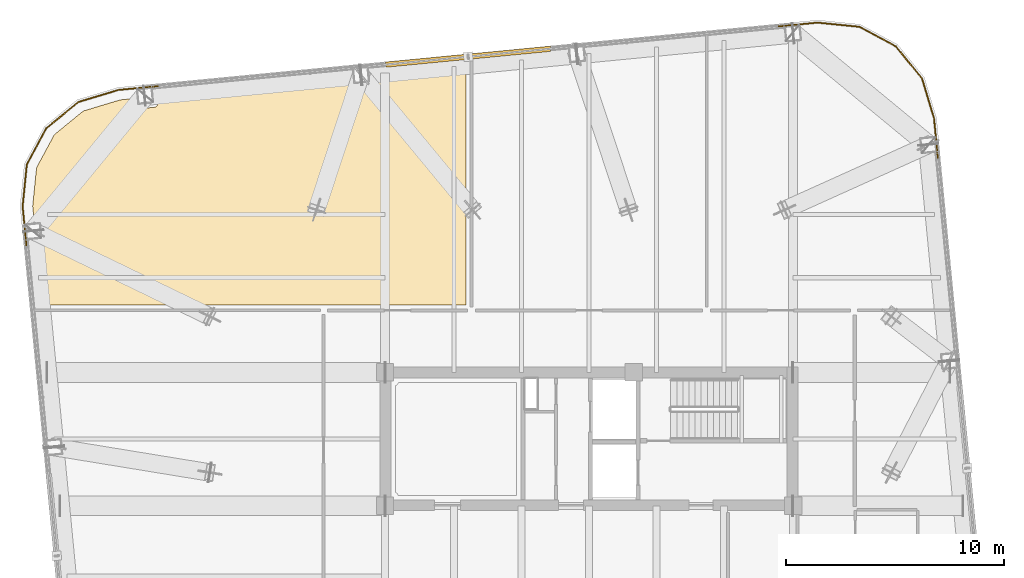
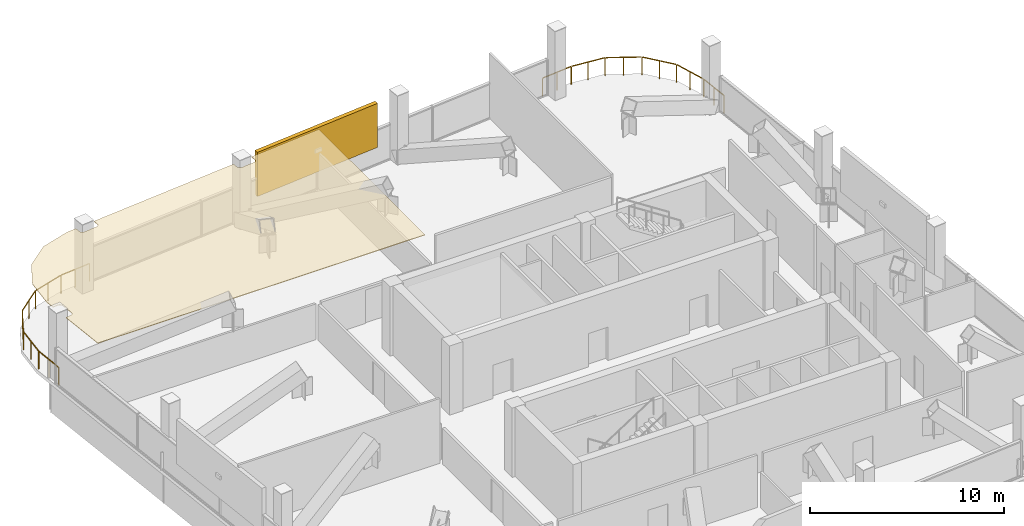
# One storey, part 22 of 22: 2 railings, 1 covering, 1 shading device.
"""IFC4 building model written with IfcOpenShell, lengths in metres."""

from ifc_helpers import new_model, si_unit, direction, frame, origin, origin_2d, place, context, subcontext, project, spatial, polyline, rectangle, outline, extrude, material, layer, layer_set, type_object, element, save


model = new_model("IFC4")

# Units and contexts
model_context = context("Model", 3, precision=1e-05, world=origin(), true_north=direction((0.0, 1.0)))
body_context = subcontext(model_context, "Body", "Model", "MODEL_VIEW")
ifc_project = project(units=[si_unit("LENGTHUNIT", "METRE"), si_unit("AREAUNIT", "SQUARE_METRE"), si_unit("VOLUMEUNIT", "CUBIC_METRE"), si_unit("PLANEANGLEUNIT", "RADIAN"), si_unit("MASSUNIT", "GRAM", prefix="KILO")], contexts=[model_context])

# Site, building, storey
site_placement = place(None, origin())
site = spatial("IfcSite", under=ifc_project, at=site_placement, CompositionType="ELEMENT")
building_placement = place(site_placement, origin())
building = spatial("IfcBuilding", under=site, at=building_placement, Name="Qhalaya Broadcast Tower", CompositionType="ELEMENT")
storey_placement = place(building_placement, frame((0.0, 0.0, 183.60009765625)))
storey = spatial("IfcBuildingStorey", under=building, at=storey_placement, Name="L54", CompositionType="ELEMENT", Elevation=183.60009765625)

# Covering
ifc_material_1 = material(Name="Acoustic Mineral-Fibre Ceiling")
ifc_layer = layer(ifc_material_1, 0.0400390625, Name="Acoustic Mineral-Fibre Ceiling")
ifc_layer_set = layer_set([ifc_layer], Name="Acoustic Mineral-Fibre Ceiling")
covering_type = type_object("IfcCoveringType", Name="Acoustic Mineral-Fibre Suspended Ceiling CLG-01", PredefinedType="CEILING", material=ifc_layer_set)
covering_placement = place(storey_placement, frame((0.0, 0.0, 4.02978515625)))
element("IfcCovering", 1, at=covering_placement, inside=storey, type_object=covering_type, Name="L54 Acoustic Suspended Ceiling 02", PredefinedType="CEILING", context=body_context, shape_type="SweptSolid", body=[
    extrude(outline(polyline([(-25.3935546875, 15.88232421875), (-25.12158203125, 13.06005859375), (-5.659912109375, 13.06005859375), (-5.659912109375, 24.0009765625), (-9.904541015625, 23.59228515625), (-9.876708984375, 23.3037109375), (-9.875732421875, 23.2841796875), (-9.876708984375, 23.264404296875), (-9.879638671875, 23.2451171875), (-9.884521484375, 23.22607421875), (-9.89111328125, 23.20751953125), (-9.899658203125, 23.18994140625), (-9.90966796875, 23.173095703125), (-9.92138671875, 23.1572265625), (-9.934814453125, 23.142822265625), (-9.94921875, 23.129638671875), (-9.965087890625, 23.117919921875), (-9.98193359375, 23.10791015625), (-9.99951171875, 23.099609375), (-10.01806640625, 23.093017578125), (-10.037109375, 23.08837890625), (-10.056640625, 23.08544921875), (-10.793212890625, 23.014404296875), (-10.812744140625, 23.013427734375), (-10.83251953125, 23.014404296875), (-10.851806640625, 23.017333984375), (-10.870849609375, 23.022216796875), (-10.889404296875, 23.02880859375), (-10.906982421875, 23.037353515625), (-10.923828125, 23.04736328125), (-10.939697265625, 23.05908203125), (-10.9541015625, 23.072509765625), (-10.96728515625, 23.0869140625), (-10.97900390625, 23.102783203125), (-10.989013671875, 23.11962890625), (-10.997314453125, 23.137451171875), (-11.00390625, 23.15576171875), (-11.008544921875, 23.1748046875), (-11.011474609375, 23.1943359375), (-11.039306640625, 23.483154296875), (-19.8251953125, 22.636962890625), (-19.797607421875, 22.348388671875), (-19.796630859375, 22.328857421875), (-19.797607421875, 22.30908203125), (-19.800537109375, 22.289794921875), (-19.805419921875, 22.270751953125), (-19.81201171875, 22.252197265625), (-19.8203125, 22.234619140625), (-19.83056640625, 22.2177734375), (-19.84228515625, 22.201904296875), (-19.85546875, 22.1875), (-19.8701171875, 22.17431640625), (-19.8857421875, 22.16259765625), (-19.902587890625, 22.152587890625), (-19.92041015625, 22.144287109375), (-19.93896484375, 22.1376953125), (-19.9580078125, 22.133056640625), (-19.977294921875, 22.130126953125), (-20.714111328125, 22.05908203125), (-20.733642578125, 22.05810546875), (-20.753173828125, 22.05908203125), (-20.772705078125, 22.06201171875), (-20.791748046875, 22.06689453125), (-20.81005859375, 22.073486328125), (-20.827880859375, 22.08203125), (-20.8447265625, 22.092041015625), (-20.8603515625, 22.10400390625), (-20.875, 22.1171875), (-20.88818359375, 22.131591796875), (-20.899658203125, 22.1474609375), (-20.909912109375, 22.164306640625), (-20.918212890625, 22.18212890625), (-20.9248046875, 22.200439453125), (-20.929443359375, 22.219482421875), (-20.932373046875, 22.239013671875), (-20.960205078125, 22.527587890625), (-21.5302734375, 22.472900390625), (-23.2333984375, 21.960205078125), (-24.5654296875, 20.8720703125), (-25.379638671875, 19.356689453125), (-25.5576171875, 17.58740234375), (-25.502685546875, 17.01708984375), (-25.214111328125, 17.044921875), (-25.194580078125, 17.0458984375), (-25.175048828125, 17.044921875), (-25.155517578125, 17.0419921875), (-25.136474609375, 17.037109375), (-25.1181640625, 17.030517578125), (-25.100341796875, 17.02197265625), (-25.08349609375, 17.011962890625), (-25.06787109375, 17.0), (-25.05322265625, 16.98681640625), (-25.0400390625, 16.972412109375), (-25.028564453125, 16.95654296875), (-25.018310546875, 16.939697265625), (-25.010009765625, 16.922119140625), (-25.00341796875, 16.903564453125), (-24.998779296875, 16.884521484375), (-24.995849609375, 16.864990234375), (-24.9248046875, 16.12841796875), (-24.924072265625, 16.10888671875), (-24.925048828125, 16.089111328125), (-24.927978515625, 16.06982421875), (-24.9326171875, 16.05078125), (-24.939453125, 16.0322265625), (-24.94775390625, 16.0146484375), (-24.9580078125, 15.997802734375), (-24.9697265625, 15.98193359375), (-24.98291015625, 15.967529296875), (-24.997314453125, 15.954345703125), (-25.01318359375, 15.942626953125), (-25.030029296875, 15.9326171875), (-25.0478515625, 15.92431640625), (-25.06640625, 15.917724609375), (-25.08544921875, 15.9130859375), (-25.104736328125, 15.91015625), (-25.3935546875, 15.88232421875)])), origin(), (0.0, 0.0, 1.0), 0.0400390625),
])

# Railings
ifc_material_2 = material(Name="Powder-Coated Galvanised Steel", Category="steel")
railing_type = type_object("IfcRailingType", Name="Terrace, Sky-Pool & Lookout Glass Balustrade 1150", PredefinedType="BALUSTRADE", material=ifc_material_2)
railing_1_placement = place(storey_placement, frame((-25.8466796875, 15.790283203125, 0.0)))
element("IfcRailing", 2, at=railing_1_placement, inside=storey, type_object=railing_type, Name="L54 Rounded Corner Perimeter Guard 03", PredefinedType="BALUSTRADE", context=body_context, shape_type="SweptSolid", body=[
    extrude(rectangle(XDim=0.048095703125, YDim=0.048095703125, at=origin_2d()), frame((0.0, 0.0, 1.1259765625), z_axis=(-0.095969962472, 0.995384230487, 0.0), x_axis=(-0.995384230487, -0.095969962472, 0.0)), (0.0, 0.0, 1.0), 1.77734375),
    extrude(rectangle(XDim=0.048095703125, YDim=0.048095703125, at=origin_2d()), frame((-0.17041015625, 1.82666015625, 1.1259765625), z_axis=(0.100185175984, 0.994968808814, 0.0), x_axis=(-0.994968808814, 0.100185175984, 0.0)), (0.0, 0.0, 1.0), 1.857666015625),
    extrude(rectangle(XDim=0.048095703125, YDim=0.048095703125, at=origin_2d()), frame((0.0322265625, 3.72900390625, 1.1259765625), z_axis=(0.473342342286, 0.880878554058, 0.0), x_axis=(-0.880878554058, 0.473342342286, 0.0)), (0.0, 0.0, 1.0), 1.845458984375),
    extrude(rectangle(XDim=0.048095703125, YDim=0.048095703125, at=origin_2d()), frame((0.94189453125, 5.3984375, 1.1259765625), z_axis=(0.774368685352, 0.632734651451, 0.0), x_axis=(-0.632734651451, 0.774368685352, 0.0)), (0.0, 0.0, 1.0), 1.84521484375),
    extrude(rectangle(XDim=0.048095703125, YDim=0.048095703125, at=origin_2d()), frame((2.420654296875, 6.592529296875, 1.1259765625), z_axis=(0.957576860039, 0.288177995547, 0.0), x_axis=(-0.288177995547, 0.957576860039, 0.0)), (0.0, 0.0, 1.0), 1.857666015625),
    extrude(rectangle(XDim=0.048095703125, YDim=0.048095703125, at=origin_2d()), frame((4.256103515625, 7.138916015625, 1.1259765625), z_axis=(0.995397133929, 0.095836035844, 0.0), x_axis=(-0.095836035844, 0.995397133929, 0.0)), (0.0, 0.0, 1.0), 1.77734375),
    extrude(rectangle(XDim=0.0419921875, YDim=0.0419921875, at=origin_2d()), origin(), (0.0, 0.0, 1.0), 1.099853515625),
    extrude(rectangle(XDim=0.0419921875, YDim=0.0419921875, at=origin_2d()), frame((-0.086669921875, 0.89892578125, 0.0)), (0.0, 0.0, 1.0), 1.099853515625),
    extrude(rectangle(XDim=0.0419921875, YDim=0.0419921875, at=origin_2d()), frame((-0.17333984375, 1.7978515625, 0.0)), (0.0, 0.0, 1.0), 1.099853515625),
    extrude(rectangle(XDim=0.0419921875, YDim=0.0419921875, at=origin_2d()), frame((-0.077392578125, 2.750732421875, 0.0)), (0.0, 0.0, 1.0), 1.099853515625),
    extrude(rectangle(XDim=0.0419921875, YDim=0.0419921875, at=origin_2d()), frame((0.0185546875, 3.70361328125, 0.0)), (0.0, 0.0, 1.0), 1.099853515625),
    extrude(rectangle(XDim=0.0419921875, YDim=0.0419921875, at=origin_2d()), frame((0.468994140625, 4.5419921875, 0.0)), (0.0, 0.0, 1.0), 1.099853515625),
    extrude(rectangle(XDim=0.0419921875, YDim=0.0419921875, at=origin_2d()), frame((0.91943359375, 5.380126953125, 0.0)), (0.0, 0.0, 1.0), 1.099853515625),
    extrude(rectangle(XDim=0.0419921875, YDim=0.0419921875, at=origin_2d()), frame((1.65625, 5.982177734375, 0.0)), (0.0, 0.0, 1.0), 1.099853515625),
    extrude(rectangle(XDim=0.0419921875, YDim=0.0419921875, at=origin_2d()), frame((2.39306640625, 6.584228515625, 0.0)), (0.0, 0.0, 1.0), 1.099853515625),
    extrude(rectangle(XDim=0.0419921875, YDim=0.0419921875, at=origin_2d()), frame((3.31005859375, 6.8603515625, 0.0)), (0.0, 0.0, 1.0), 1.099853515625),
    extrude(rectangle(XDim=0.0419921875, YDim=0.0419921875, at=origin_2d()), frame((4.227294921875, 7.13623046875, 0.0)), (0.0, 0.0, 1.0), 1.099853515625),
    extrude(rectangle(XDim=0.0419921875, YDim=0.0419921875, at=origin_2d()), frame((5.126220703125, 7.22265625, 0.0)), (0.0, 0.0, 1.0), 1.099853515625),
    extrude(rectangle(XDim=0.0419921875, YDim=0.0419921875, at=origin_2d()), frame((6.025146484375, 7.309326171875, 0.0)), (0.0, 0.0, 1.0), 1.099853515625),
])
railing_2_placement = place(storey_placement, frame((8.71044921875, 25.8466796875, 0.0)))
element("IfcRailing", 3, at=railing_2_placement, inside=storey, type_object=railing_type, Name="L54 Rounded Corner Perimeter Guard 04", PredefinedType="BALUSTRADE", context=body_context, shape_type="SweptSolid", body=[
    extrude(rectangle(XDim=0.048095703125, YDim=0.048095703125, at=origin_2d()), frame((0.0, 0.0, 1.1259765625), z_axis=(0.995384230487, 0.095969962472, 0.0), x_axis=(-0.095969962472, 0.995384230487, 0.0)), (0.0, 0.0, 1.0), 1.77734375),
    extrude(rectangle(XDim=0.048095703125, YDim=0.048095703125, at=origin_2d()), frame((1.82666015625, 0.17041015625, 1.1259765625), z_axis=(0.994967529225, -0.100197883148, 0.0), x_axis=(0.100197883148, 0.994967529225, 0.0)), (0.0, 0.0, 1.0), 1.857421875),
    extrude(rectangle(XDim=0.048095703125, YDim=0.048095703125, at=origin_2d()), frame((3.728759765625, -0.0322265625, 1.1259765625), z_axis=(0.880878554058, -0.473342342286, 0.0), x_axis=(0.473342342286, 0.880878554058, 0.0)), (0.0, 0.0, 1.0), 1.845458984375),
    extrude(rectangle(XDim=0.048095703125, YDim=0.048095703125, at=origin_2d()), frame((5.398193359375, -0.94189453125, 1.1259765625), z_axis=(0.632734651451, -0.774368685352, 0.0), x_axis=(0.774368685352, 0.632734651451, 0.0)), (0.0, 0.0, 1.0), 1.84521484375),
    extrude(rectangle(XDim=0.048095703125, YDim=0.048095703125, at=origin_2d()), frame((6.59228515625, -2.420654296875, 1.1259765625), z_axis=(0.288177995547, -0.957576860039, 0.0), x_axis=(0.957576860039, 0.288177995547, 0.0)), (0.0, 0.0, 1.0), 1.857666015625),
    extrude(rectangle(XDim=0.048095703125, YDim=0.048095703125, at=origin_2d()), frame((7.138671875, -4.256103515625, 1.1259765625), z_axis=(0.095836035844, -0.995397133929, 0.0), x_axis=(0.995397133929, 0.095836035844, 0.0)), (0.0, 0.0, 1.0), 1.77734375),
    extrude(rectangle(XDim=0.0419921875, YDim=0.0419921875, at=origin_2d()), origin(), (0.0, 0.0, 1.0), 1.099853515625),
    extrude(rectangle(XDim=0.0419921875, YDim=0.0419921875, at=origin_2d()), frame((0.89892578125, 0.086669921875, 0.0)), (0.0, 0.0, 1.0), 1.099853515625),
    extrude(rectangle(XDim=0.0419921875, YDim=0.0419921875, at=origin_2d()), frame((1.7978515625, 0.17333984375, 0.0)), (0.0, 0.0, 1.0), 1.099853515625),
    extrude(rectangle(XDim=0.0419921875, YDim=0.0419921875, at=origin_2d()), frame((2.75048828125, 0.077392578125, 0.0)), (0.0, 0.0, 1.0), 1.099853515625),
    extrude(rectangle(XDim=0.0419921875, YDim=0.0419921875, at=origin_2d()), frame((3.703369140625, -0.0185546875, 0.0)), (0.0, 0.0, 1.0), 1.099853515625),
    extrude(rectangle(XDim=0.0419921875, YDim=0.0419921875, at=origin_2d()), frame((4.54150390625, -0.468994140625, 0.0)), (0.0, 0.0, 1.0), 1.099853515625),
    extrude(rectangle(XDim=0.0419921875, YDim=0.0419921875, at=origin_2d()), frame((5.3798828125, -0.91943359375, 0.0)), (0.0, 0.0, 1.0), 1.099853515625),
    extrude(rectangle(XDim=0.0419921875, YDim=0.0419921875, at=origin_2d()), frame((5.98193359375, -1.65625, 0.0)), (0.0, 0.0, 1.0), 1.099853515625),
    extrude(rectangle(XDim=0.0419921875, YDim=0.0419921875, at=origin_2d()), frame((6.583984375, -2.39306640625, 0.0)), (0.0, 0.0, 1.0), 1.099853515625),
    extrude(rectangle(XDim=0.0419921875, YDim=0.0419921875, at=origin_2d()), frame((6.85986328125, -3.31005859375, 0.0)), (0.0, 0.0, 1.0), 1.099853515625),
    extrude(rectangle(XDim=0.0419921875, YDim=0.0419921875, at=origin_2d()), frame((7.135986328125, -4.227294921875, 0.0)), (0.0, 0.0, 1.0), 1.099853515625),
    extrude(rectangle(XDim=0.0419921875, YDim=0.0419921875, at=origin_2d()), frame((7.22265625, -5.126220703125, 0.0)), (0.0, 0.0, 1.0), 1.099853515625),
    extrude(rectangle(XDim=0.0419921875, YDim=0.0419921875, at=origin_2d()), frame((7.30908203125, -6.025146484375, 0.0)), (0.0, 0.0, 1.0), 1.099853515625),
])

# Shading device
ifc_material_3 = material(Name="Fired Architectural Terracotta", Category="masonry")
shading_device_type = type_object("IfcShadingDeviceType", Name="Terracotta Baguette Solar Screen Assembly TBS-01", PredefinedType="USERDEFINED", material=ifc_material_3)
shading_device_placement = place(storey_placement, frame((-5.5537109375, 24.453369140625, 1.13916015625), z_axis=(0.0, 0.0, 1.0), x_axis=(-0.995396198367, -0.09584575252, 0.0)))
element("IfcShadingDevice", 4, at=shading_device_placement, inside=storey, type_object=shading_device_type, Name="L54 Fired Terracotta Baguette Screen N", ObjectType="BAGUETTE", PredefinedType="USERDEFINED", context=body_context, shape_type="SweptSolid", body=[
    extrude(rectangle(XDim=7.60009765625, YDim=0.239990234375, at=origin_2d()), origin(), (0.0, 0.0, 1.0), 2.76806640625),
])

save(model, "model.ifc")
